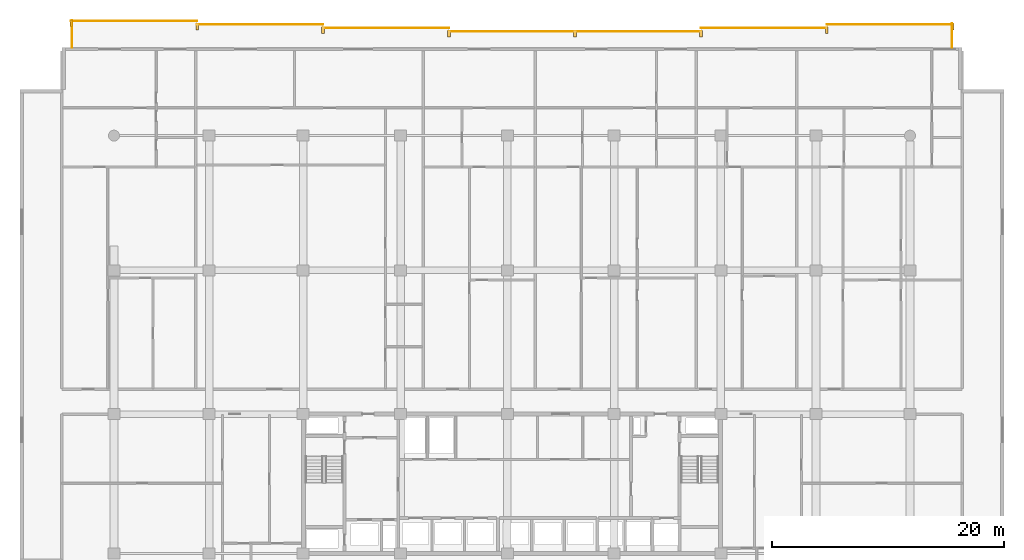
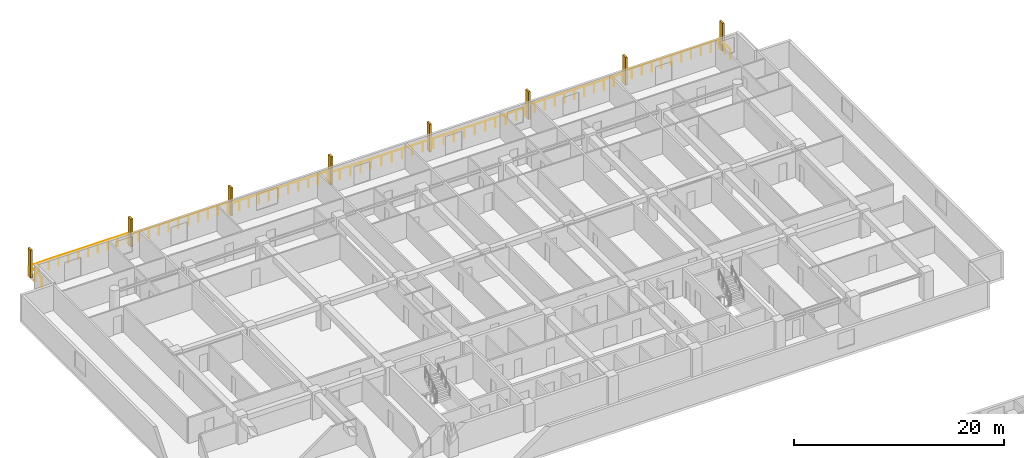
# One storey, part 24 of 24: 8 railings, 8 shading devices.
"""IFC4 building model written with IfcOpenShell, lengths in metres."""

import ifcopenshell
import ifcopenshell.guid

model = None  # the IFC model being written
_history = None  # IfcOwnerHistory: only IFC2X3 demands one
_inside = {}  # id of a spatial element -> (the spatial element, [elements in it])
_under = {}  # id of a project, library or spatial element -> (it, [spatial elements below it])
_declared = {}  # id of a project -> (the project, [libraries it declares])
_typed = {}  # id of a type object -> (the type object, [elements of that type])
_made_of = {}  # id of a material, layer set ... -> (it, [elements and type objects made of it])


def new_model(schema):
    """Start an empty IFC model of exactly this schema.

    Asked for "IFC4X3", IfcOpenShell would pick the latest addendum, in which some entities
    have other attributes; the version numbers below select the first issue.
    IFC2X3 requires an IfcOwnerHistory on every rooted entity: one is made here for all.
    """
    global model, _history
    if schema == "IFC4X3":
        model = ifcopenshell.file(schema_version=(4, 3, 0, 0))
    else:
        model = ifcopenshell.file(schema=schema)
    _inside.clear()
    _under.clear()
    _declared.clear()
    _typed.clear()
    _made_of.clear()
    _history = None
    if model.schema == "IFC2X3":
        org = make("IfcOrganization", Name="unknown")
        user = make(
            "IfcPersonAndOrganization",
            ThePerson=make("IfcPerson", FamilyName="unknown"),
            TheOrganization=org,
        )
        app = make(
            "IfcApplication",
            ApplicationDeveloper=org,
            Version="unknown",
            ApplicationFullName="unknown",
            ApplicationIdentifier="unknown",
        )
        _history = make(
            "IfcOwnerHistory",
            OwningUser=user,
            OwningApplication=app,
            ChangeAction="ADDED",
            CreationDate=0,
        )
    return model


def make(cls, **values):
    """One entity of the class cls with the attributes given. An attribute that is None is left unset."""
    return model.create_entity(
        cls, **{name: value for name, value in values.items() if value is not None}
    )


def rooted(cls, **values):
    """An entity with a GlobalId (a new one), such as an element, a storey or a relation."""
    return make(cls, GlobalId=ifcopenshell.guid.new(), OwnerHistory=_history, **values)


def si_unit(unit_type, name, prefix=None):
    """IfcSIUnit, for example si_unit("LENGTHUNIT", "METRE", prefix="MILLI")."""
    return make("IfcSIUnit", UnitType=unit_type, Prefix=prefix, Name=name)


def assignment(units):
    """IfcUnitAssignment: the units of a project."""
    return None if units is None else make("IfcUnitAssignment", Units=units)


def point(xyz):
    """IfcCartesianPoint."""
    return None if xyz is None else make("IfcCartesianPoint", Coordinates=xyz)


def direction(xyz):
    """IfcDirection."""
    return None if xyz is None else make("IfcDirection", DirectionRatios=xyz)


def frame(location, z_axis=None, x_axis=None):
    """IfcAxis2Placement3D, a coordinate frame: its origin and axes. An axis left out is left unset."""
    return make(
        "IfcAxis2Placement3D",
        Location=point(location),
        Axis=direction(z_axis),
        RefDirection=direction(x_axis),
    )


def frame_2d(location, x_axis=None):
    """IfcAxis2Placement2D, a coordinate frame in the plane: its origin and x axis."""
    return make(
        "IfcAxis2Placement2D", Location=point(location), RefDirection=direction(x_axis)
    )


def origin():
    """The frame at (0, 0, 0) with its axes left unset."""
    return frame((0.0, 0.0, 0.0))


def origin_2d():
    """The frame at (0, 0) in the plane with its x axis left unset."""
    return frame_2d((0.0, 0.0))


def place(relative_to, where):
    """IfcLocalPlacement: puts the frame where relative to a parent placement (None: the world)."""
    return make(
        "IfcLocalPlacement", PlacementRelTo=relative_to, RelativePlacement=where
    )


def context(
    kind, dimensions, precision=None, world=None, true_north=None, identifier=None
):
    """IfcGeometricRepresentationContext, for example the 3D "Model" context."""
    return make(
        "IfcGeometricRepresentationContext",
        ContextIdentifier=identifier,
        ContextType=kind,
        CoordinateSpaceDimension=dimensions,
        Precision=precision,
        WorldCoordinateSystem=world,
        TrueNorth=true_north,
    )


def subcontext(parent, identifier, kind, view, scale=None):
    """IfcGeometricRepresentationSubContext, for example "Body" below "Model"."""
    return make(
        "IfcGeometricRepresentationSubContext",
        ContextIdentifier=identifier,
        ContextType=kind,
        ParentContext=parent,
        TargetScale=scale,
        TargetView=view,
    )


def project(units=None, contexts=None):
    """IfcProject with its units and contexts."""
    return rooted(
        "IfcProject",
        Name="project",
        RepresentationContexts=contexts,
        UnitsInContext=assignment(units),
    )


def spatial(cls, under=None, at=None, **own):
    """A site, building, storey or space (cls), placed at a placement, below another one or the project."""
    s = rooted(cls, ObjectPlacement=at, **own)
    if under is not None:
        _under.setdefault(under.id(), (under, []))[1].append(s)
    return s


def profile(cls, at=None, kind="AREA", **sizes):
    """A parametric profile (cls). Its sizes go by their IFC names, for example OverallWidth=200.0."""
    return make(cls, ProfileType=kind, Position=at, **sizes)


def rectangle(**sizes):
    """IfcRectangleProfileDef."""
    return profile("IfcRectangleProfileDef", **sizes)


def circle(**sizes):
    """IfcCircleProfileDef."""
    return profile("IfcCircleProfileDef", **sizes)


def extrude(swept, where, along, depth):
    """IfcExtrudedAreaSolid: the profile swept, set in the frame where, extruded along a direction by depth."""
    return make(
        "IfcExtrudedAreaSolid",
        SweptArea=swept,
        Position=where,
        ExtrudedDirection=direction(along),
        Depth=depth,
    )


def shape(context_of_items, identifier, shape_type, items):
    """IfcShapeRepresentation: the items that make up one representation, for example the "Body"."""
    return make(
        "IfcShapeRepresentation",
        ContextOfItems=context_of_items,
        RepresentationIdentifier=identifier,
        RepresentationType=shape_type,
        Items=items,
    )


def material(Name=None, Category=None):
    """IfcMaterial."""
    return make("IfcMaterial", Name=Name, Category=Category)


def made_of(thing, what):
    """Note that an element or type object is made of a material, layer set ...; save() writes the relation."""
    if what is not None:
        _made_of.setdefault(what.id(), (what, []))[1].append(thing)
    return thing


def type_object(cls, material=None, **own):
    """A type object (cls), such as IfcWallType, which elements share."""
    return made_of(rooted(cls, **own), material)


def element(
    cls,
    number,
    at=None,
    inside=None,
    cuts=None,
    type_object=None,
    material=None,
    context=None,
    identifier="Body",
    shape_type=None,
    held_by="IfcProductDefinitionShape",
    body=None,
    shapes=None,
    **own,
):
    """One element of the class cls, such as IfcWall. Its Tag is "e" and its number.

    at: its placement. inside: the storey or other place that contains it. cuts: it is an
    opening in that element (IfcRelVoidsElement). A single representation is given by context,
    identifier, shape_type and body (its items); several are given by shapes. held_by: the class
    of the entity that holds the representations. save() writes the other relations.
    """
    e = rooted(cls, Tag="e%d" % number, ObjectPlacement=at, **own)
    if body is not None:
        shapes = [shape(context, identifier, shape_type, body)]
    if shapes is not None:
        e.Representation = make(held_by, Representations=shapes)
    if inside is not None:
        _inside.setdefault(inside.id(), (inside, []))[1].append(e)
    if cuts is not None:
        rooted(
            "IfcRelVoidsElement", RelatingBuildingElement=cuts, RelatedOpeningElement=e
        )
    if type_object is not None:
        _typed.setdefault(type_object.id(), (type_object, []))[1].append(e)
    return made_of(e, material)


def aggregate(whole, parts):
    """IfcRelAggregates: a whole, such as a stair, and the parts it consists of."""
    return rooted("IfcRelAggregates", RelatingObject=whole, RelatedObjects=parts)


def save(model, path):
    """Write the relations noted so far, then the file.

    IfcRelAggregates (storeys below a building ...), IfcRelContainedInSpatialStructure (elements
    in a storey), IfcRelDefinesByType, IfcRelAssociatesMaterial and IfcRelDeclares: one each for
    every whole, place, type object, material and project.
    """
    for whole, parts in _under.values():
        aggregate(whole, parts)
    for where, things in _inside.values():
        rooted(
            "IfcRelContainedInSpatialStructure",
            RelatedElements=things,
            RelatingStructure=where,
        )
    for kind, things in _typed.values():
        rooted("IfcRelDefinesByType", RelatedObjects=things, RelatingType=kind)
    for what, things in _made_of.values():
        rooted("IfcRelAssociatesMaterial", RelatedObjects=things, RelatingMaterial=what)
    for by, libraries in _declared.values():
        rooted("IfcRelDeclares", RelatingContext=by, RelatedDefinitions=libraries)
    model.write(path)


model = new_model("IFC4")

# Units and contexts
model_context = context("Model", 3, precision=1e-05, world=origin(), true_north=direction((0.0, 1.0)))
body_context = subcontext(model_context, "Body", "Model", "MODEL_VIEW")
ifc_project = project(units=[si_unit("LENGTHUNIT", "METRE"), si_unit("AREAUNIT", "SQUARE_METRE"), si_unit("VOLUMEUNIT", "CUBIC_METRE"), si_unit("PLANEANGLEUNIT", "RADIAN"), si_unit("MASSUNIT", "GRAM", prefix="KILO")], contexts=[model_context])

# Site, building, storey
site_placement = place(None, origin())
site = spatial("IfcSite", under=ifc_project, at=site_placement, CompositionType="ELEMENT")
building_placement = place(site_placement, origin())
building = spatial("IfcBuilding", under=site, at=building_placement, Name="Korimba Cascade Residences", CompositionType="ELEMENT")
storey_placement = place(building_placement, frame((0.0, 0.0, 66.25)))
storey = spatial("IfcBuildingStorey", under=building, at=storey_placement, Name="L18", CompositionType="ELEMENT", Elevation=66.25)

# Railings
ifc_material_1 = material(Name="Laminated Glass and Bronze Balustrade", Category="glass")
railing_type = type_object("IfcRailingType", Name="RLG-LOG-1150", PredefinedType="BALUSTRADE", material=ifc_material_1)
railing_1_placement = place(storey_placement, frame((132.02001953125, 98.800048828125, 0.0)))
element("IfcRailing", 1, at=railing_1_placement, inside=storey, type_object=railing_type, Name="L18 Perimeter Guardrail RLG-L18-T1-LOG-01", PredefinedType="BALUSTRADE", context=body_context, shape_type="SweptSolid", body=[
    extrude(circle(Radius=0.02392578125, at=origin_2d()), frame((0.0, 0.0, 1.1259765625), z_axis=(0.0, 1.0, 0.0), x_axis=(-1.0, 0.0, 0.0)), (0.0, 0.0, 1.0), 2.050048828125),
    extrude(circle(Radius=0.02099609375, at=origin_2d()), origin(), (0.0, 0.0, 1.0), 1.101806640625),
    extrude(circle(Radius=0.02099609375, at=origin_2d()), frame((0.0, 1.02490234375, 0.0)), (0.0, 0.0, 1.0), 1.101806640625),
    extrude(circle(Radius=0.02099609375, at=origin_2d()), frame((0.0, 2.050048828125, 0.0)), (0.0, 0.0, 1.0), 1.101806640625),
])
for number, where, name in (
    (2, (132.10009765625, 100.77001953125, 0.0), "L18 Perimeter Guardrail RLG-L18-T1-LOG-02"),
    (3, (121.242919921875, 100.469970703125, 0.0), "L18 Perimeter Guardrail RLG-L18-T1-LOG-03"),
):
    element("IfcRailing", number, at=place(storey_placement, frame(where)), inside=storey, type_object=railing_type, Name=name, PredefinedType="BALUSTRADE", context=body_context, shape_type="SweptSolid", body=[
        extrude(circle(Radius=0.02392578125, at=origin_2d()), frame((0.0, 0.0, 1.1259765625), z_axis=(-1.0, 0.0, 0.0), x_axis=(0.0, -1.0, 0.0)), (0.0, 0.0, 1.0), 10.857177734375),
        extrude(circle(Radius=0.02099609375, at=origin_2d()), origin(), (0.0, 0.0, 1.0), 1.101806640625),
        extrude(circle(Radius=0.02099609375, at=origin_2d()), frame((-1.085693359375, 0.0, 0.0)), (0.0, 0.0, 1.0), 1.101806640625),
        extrude(circle(Radius=0.02099609375, at=origin_2d()), frame((-2.17138671875, 0.0, 0.0)), (0.0, 0.0, 1.0), 1.101806640625),
        extrude(circle(Radius=0.02099609375, at=origin_2d()), frame((-3.257080078125, 0.0, 0.0)), (0.0, 0.0, 1.0), 1.101806640625),
        extrude(circle(Radius=0.02099609375, at=origin_2d()), frame((-4.3427734375, 0.0, 0.0)), (0.0, 0.0, 1.0), 1.101806640625),
        extrude(circle(Radius=0.02099609375, at=origin_2d()), frame((-5.4287109375, 0.0, 0.0)), (0.0, 0.0, 1.0), 1.101806640625),
        extrude(circle(Radius=0.02099609375, at=origin_2d()), frame((-6.514404296875, 0.0, 0.0)), (0.0, 0.0, 1.0), 1.101806640625),
        extrude(circle(Radius=0.02099609375, at=origin_2d()), frame((-7.60009765625, 0.0, 0.0)), (0.0, 0.0, 1.0), 1.101806640625),
        extrude(circle(Radius=0.02099609375, at=origin_2d()), frame((-8.685791015625, 0.0, 0.0)), (0.0, 0.0, 1.0), 1.101806640625),
        extrude(circle(Radius=0.02099609375, at=origin_2d()), frame((-9.771484375, 0.0, 0.0)), (0.0, 0.0, 1.0), 1.101806640625),
        extrude(circle(Radius=0.02099609375, at=origin_2d()), frame((-10.857177734375, 0.0, 0.0)), (0.0, 0.0, 1.0), 1.101806640625),
    ])
railing_2_placement = place(storey_placement, frame((110.3857421875, 100.169921875, 0.0)))
element("IfcRailing", 4, at=railing_2_placement, inside=storey, type_object=railing_type, Name="L18 Perimeter Guardrail RLG-L18-T1-LOG-04", PredefinedType="BALUSTRADE", context=body_context, shape_type="SweptSolid", body=[
    extrude(circle(Radius=0.02392578125, at=origin_2d()), frame((0.0, 0.0, 1.1259765625), z_axis=(-1.0, 0.0, 0.0), x_axis=(0.0, -1.0, 0.0)), (0.0, 0.0, 1.0), 21.71435546875),
    extrude(circle(Radius=0.02099609375, at=origin_2d()), origin(), (0.0, 0.0, 1.0), 1.101806640625),
    extrude(circle(Radius=0.02099609375, at=origin_2d()), frame((-1.142822265625, 0.0, 0.0)), (0.0, 0.0, 1.0), 1.101806640625),
    extrude(circle(Radius=0.02099609375, at=origin_2d()), frame((-2.28564453125, 0.0, 0.0)), (0.0, 0.0, 1.0), 1.101806640625),
    extrude(circle(Radius=0.02099609375, at=origin_2d()), frame((-3.428466796875, 0.0, 0.0)), (0.0, 0.0, 1.0), 1.101806640625),
    extrude(circle(Radius=0.02099609375, at=origin_2d()), frame((-4.571533203125, 0.0, 0.0)), (0.0, 0.0, 1.0), 1.101806640625),
    extrude(circle(Radius=0.02099609375, at=origin_2d()), frame((-5.71435546875, 0.0, 0.0)), (0.0, 0.0, 1.0), 1.101806640625),
    extrude(circle(Radius=0.02099609375, at=origin_2d()), frame((-6.857177734375, 0.0, 0.0)), (0.0, 0.0, 1.0), 1.101806640625),
    extrude(circle(Radius=0.02099609375, at=origin_2d()), frame((-8.0, 0.0, 0.0)), (0.0, 0.0, 1.0), 1.101806640625),
    extrude(circle(Radius=0.02099609375, at=origin_2d()), frame((-9.142822265625, 0.0, 0.0)), (0.0, 0.0, 1.0), 1.101806640625),
    extrude(circle(Radius=0.02099609375, at=origin_2d()), frame((-10.28564453125, 0.0, 0.0)), (0.0, 0.0, 1.0), 1.101806640625),
    extrude(circle(Radius=0.02099609375, at=origin_2d()), frame((-11.4287109375, 0.0, 0.0)), (0.0, 0.0, 1.0), 1.101806640625),
    extrude(circle(Radius=0.02099609375, at=origin_2d()), frame((-12.571533203125, 0.0, 0.0)), (0.0, 0.0, 1.0), 1.101806640625),
    extrude(circle(Radius=0.02099609375, at=origin_2d()), frame((-13.71435546875, 0.0, 0.0)), (0.0, 0.0, 1.0), 1.101806640625),
    extrude(circle(Radius=0.02099609375, at=origin_2d()), frame((-14.857177734375, 0.0, 0.0)), (0.0, 0.0, 1.0), 1.101806640625),
    extrude(circle(Radius=0.02099609375, at=origin_2d()), frame((-16.0, 0.0, 0.0)), (0.0, 0.0, 1.0), 1.101806640625),
    extrude(circle(Radius=0.02099609375, at=origin_2d()), frame((-17.142822265625, 0.0, 0.0)), (0.0, 0.0, 1.0), 1.101806640625),
    extrude(circle(Radius=0.02099609375, at=origin_2d()), frame((-18.285888671875, 0.0, 0.0)), (0.0, 0.0, 1.0), 1.101806640625),
    extrude(circle(Radius=0.02099609375, at=origin_2d()), frame((-19.4287109375, 0.0, 0.0)), (0.0, 0.0, 1.0), 1.101806640625),
    extrude(circle(Radius=0.02099609375, at=origin_2d()), frame((-20.571533203125, 0.0, 0.0)), (0.0, 0.0, 1.0), 1.101806640625),
    extrude(circle(Radius=0.02099609375, at=origin_2d()), frame((-21.71435546875, 0.0, 0.0)), (0.0, 0.0, 1.0), 1.101806640625),
])
for number, where, name in (
    (5, (88.67138671875, 100.469970703125, 0.0), "L18 Perimeter Guardrail RLG-L18-T1-LOG-05"),
    (6, (77.814208984375, 100.77001953125, 0.0), "L18 Perimeter Guardrail RLG-L18-T1-LOG-06"),
):
    element("IfcRailing", number, at=place(storey_placement, frame(where)), inside=storey, type_object=railing_type, Name=name, PredefinedType="BALUSTRADE", context=body_context, shape_type="SweptSolid", body=[
        extrude(circle(Radius=0.02392578125, at=origin_2d()), frame((0.0, 0.0, 1.1259765625), z_axis=(-1.0, 0.0, 0.0), x_axis=(0.0, -1.0, 0.0)), (0.0, 0.0, 1.0), 10.857177734375),
        extrude(circle(Radius=0.02099609375, at=origin_2d()), origin(), (0.0, 0.0, 1.0), 1.101806640625),
        extrude(circle(Radius=0.02099609375, at=origin_2d()), frame((-1.085693359375, 0.0, 0.0)), (0.0, 0.0, 1.0), 1.101806640625),
        extrude(circle(Radius=0.02099609375, at=origin_2d()), frame((-2.17138671875, 0.0, 0.0)), (0.0, 0.0, 1.0), 1.101806640625),
        extrude(circle(Radius=0.02099609375, at=origin_2d()), frame((-3.257080078125, 0.0, 0.0)), (0.0, 0.0, 1.0), 1.101806640625),
        extrude(circle(Radius=0.02099609375, at=origin_2d()), frame((-4.3427734375, 0.0, 0.0)), (0.0, 0.0, 1.0), 1.101806640625),
        extrude(circle(Radius=0.02099609375, at=origin_2d()), frame((-5.4287109375, 0.0, 0.0)), (0.0, 0.0, 1.0), 1.101806640625),
        extrude(circle(Radius=0.02099609375, at=origin_2d()), frame((-6.514404296875, 0.0, 0.0)), (0.0, 0.0, 1.0), 1.101806640625),
        extrude(circle(Radius=0.02099609375, at=origin_2d()), frame((-7.60009765625, 0.0, 0.0)), (0.0, 0.0, 1.0), 1.101806640625),
        extrude(circle(Radius=0.02099609375, at=origin_2d()), frame((-8.685791015625, 0.0, 0.0)), (0.0, 0.0, 1.0), 1.101806640625),
        extrude(circle(Radius=0.02099609375, at=origin_2d()), frame((-9.771484375, 0.0, 0.0)), (0.0, 0.0, 1.0), 1.101806640625),
        extrude(circle(Radius=0.02099609375, at=origin_2d()), frame((-10.857177734375, 0.0, 0.0)), (0.0, 0.0, 1.0), 1.101806640625),
    ])
railing_3_placement = place(storey_placement, frame((66.95703125, 101.070068359375, 0.0)))
element("IfcRailing", 7, at=railing_3_placement, inside=storey, type_object=railing_type, Name="L18 Perimeter Guardrail RLG-L18-T1-LOG-07", PredefinedType="BALUSTRADE", context=body_context, shape_type="SweptSolid", body=[
    extrude(circle(Radius=0.02392578125, at=origin_2d()), frame((0.0, 0.0, 1.1259765625), z_axis=(-1.0, 0.0, 0.0), x_axis=(0.0, -1.0, 0.0)), (0.0, 0.0, 1.0), 10.85693359375),
    extrude(circle(Radius=0.02099609375, at=origin_2d()), origin(), (0.0, 0.0, 1.0), 1.101806640625),
    extrude(circle(Radius=0.02099609375, at=origin_2d()), frame((-1.085693359375, 0.0, 0.0)), (0.0, 0.0, 1.0), 1.101806640625),
    extrude(circle(Radius=0.02099609375, at=origin_2d()), frame((-2.17138671875, 0.0, 0.0)), (0.0, 0.0, 1.0), 1.101806640625),
    extrude(circle(Radius=0.02099609375, at=origin_2d()), frame((-3.257080078125, 0.0, 0.0)), (0.0, 0.0, 1.0), 1.101806640625),
    extrude(circle(Radius=0.02099609375, at=origin_2d()), frame((-4.3427734375, 0.0, 0.0)), (0.0, 0.0, 1.0), 1.101806640625),
    extrude(circle(Radius=0.02099609375, at=origin_2d()), frame((-5.428466796875, 0.0, 0.0)), (0.0, 0.0, 1.0), 1.101806640625),
    extrude(circle(Radius=0.02099609375, at=origin_2d()), frame((-6.51416015625, 0.0, 0.0)), (0.0, 0.0, 1.0), 1.101806640625),
    extrude(circle(Radius=0.02099609375, at=origin_2d()), frame((-7.599853515625, 0.0, 0.0)), (0.0, 0.0, 1.0), 1.101806640625),
    extrude(circle(Radius=0.02099609375, at=origin_2d()), frame((-8.685546875, 0.0, 0.0)), (0.0, 0.0, 1.0), 1.101806640625),
    extrude(circle(Radius=0.02099609375, at=origin_2d()), frame((-9.771240234375, 0.0, 0.0)), (0.0, 0.0, 1.0), 1.101806640625),
    extrude(circle(Radius=0.02099609375, at=origin_2d()), frame((-10.85693359375, 0.0, 0.0)), (0.0, 0.0, 1.0), 1.101806640625),
])
railing_4_placement = place(storey_placement, frame((56.179931640625, 101.14990234375, 0.0)))
element("IfcRailing", 8, at=railing_4_placement, inside=storey, type_object=railing_type, Name="L18 Perimeter Guardrail RLG-L18-T1-LOG-08", PredefinedType="BALUSTRADE", context=body_context, shape_type="SweptSolid", body=[
    extrude(circle(Radius=0.02392578125, at=origin_2d()), frame((0.0, 0.0, 1.1259765625), z_axis=(0.0, -1.0, 0.0), x_axis=(1.0, 0.0, 0.0)), (0.0, 0.0, 1.0), 2.349853515625),
    extrude(circle(Radius=0.02099609375, at=origin_2d()), origin(), (0.0, 0.0, 1.0), 1.101806640625),
    extrude(circle(Radius=0.02099609375, at=origin_2d()), frame((0.0, -1.1748046875, 0.0)), (0.0, 0.0, 1.0), 1.101806640625),
    extrude(circle(Radius=0.02099609375, at=origin_2d()), frame((0.0, -2.349853515625, 0.0)), (0.0, 0.0, 1.0), 1.101806640625),
])

# Shading devices
ifc_material_2 = material(Name="Honed Sandstone Precast Fin", Category="masonry")
shading_device_type = type_object("IfcShadingDeviceType", Name="SHD-FIN-550", PredefinedType="USERDEFINED", material=ifc_material_2)
for number, where, z_axis, x_axis, name in (
    (9, (56.10009765625, 100.875, 0.0), (0.0, 0.0, 1.0), (1.0, 0.0, 0.0), "L18 T1 Warm-Stone Loggia Fin 1"),
    (10, (66.95703125, 100.574951171875, 0.0), (0.0, 0.0, 1.0), (1.0, 0.0, 0.0), "L18 T1 Warm-Stone Loggia Fin 2"),
    (11, (77.814208984375, 100.27490234375, 0.0), (0.0, 0.0, 1.0), (1.0, 0.0, 0.0), "L18 T1 Warm-Stone Loggia Fin 3"),
    (12, (88.67138671875, 99.97509765625, 0.0), (0.0, 0.0, 1.0), (1.0, 0.0, 0.0), "L18 T1 Warm-Stone Loggia Fin 4"),
    (13, (99.528564453125, 99.97509765625, 0.0), (0.0, 0.0, 1.0), (1.0, 0.0, 0.0), "L18 T1 Warm-Stone Loggia Fin 5"),
    (14, (110.3857421875, 99.97509765625, 0.0), (0.0, 0.0, 1.0), (1.0, 0.0, 0.0), "L18 T1 Warm-Stone Loggia Fin 6"),
    (15, (121.242919921875, 100.27490234375, 0.0), (0.0, 0.0, 1.0), (1.0, 0.0, 0.0), "L18 T1 Warm-Stone Loggia Fin 7"),
    (16, (132.10009765625, 100.574951171875, 0.0), (0.0, 0.0, 1.0), (1.0, 0.0, 0.0), "L18 T1 Warm-Stone Loggia Fin 8"),
):
    element("IfcShadingDevice", number, at=place(storey_placement, frame(where, z_axis=z_axis, x_axis=x_axis)), inside=storey, type_object=shading_device_type, Name=name, ObjectType="FIN", PredefinedType="USERDEFINED", context=body_context, shape_type="SweptSolid", body=[
        extrude(rectangle(XDim=0.219970703125, YDim=0.550048828125, at=origin_2d()), origin(), (0.0, 0.0, 1.0), 3.25),
    ])

save(model, "model.ifc")
